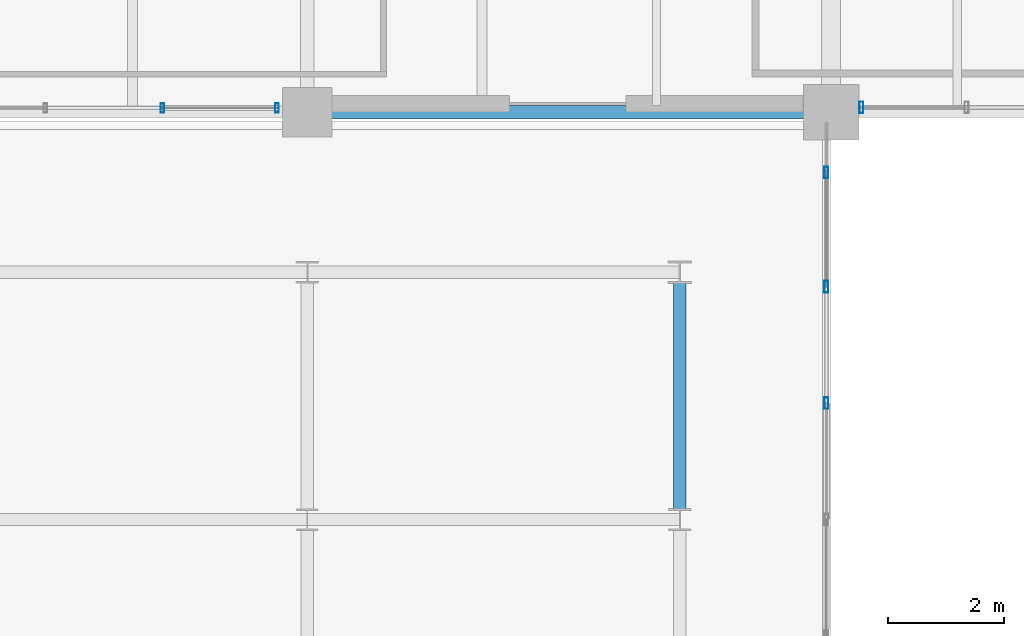
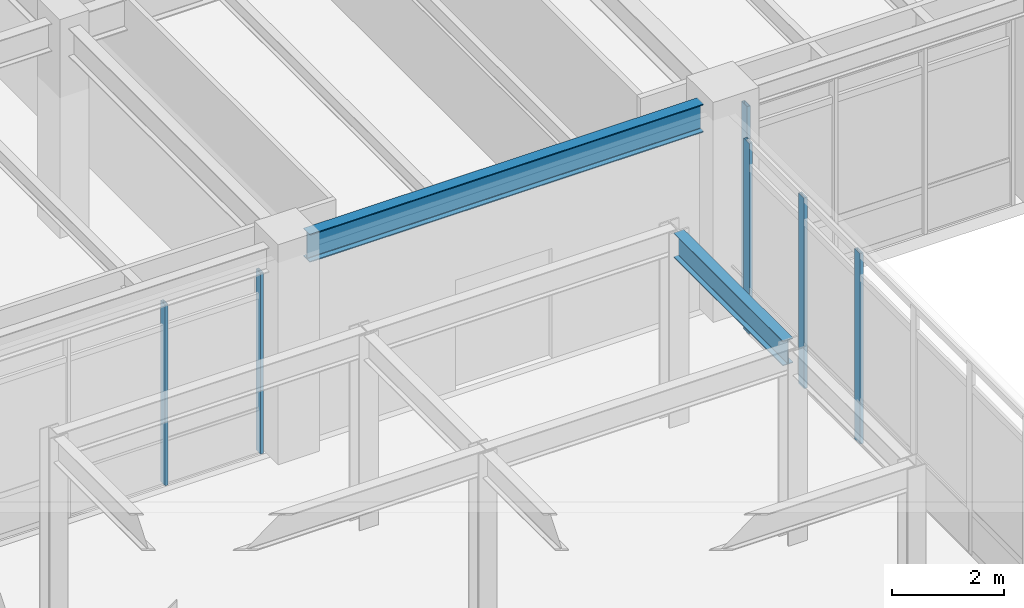
# One storey, part 90 of 200: 6 members, 2 beams, 3 elements without a shape of their own.
"""IFC4 building model written with IfcOpenShell, lengths in metres."""

from ifc_helpers import new_model, si_unit, direction, frame, origin, origin_2d, place, context, subcontext, project, spatial, hollow_rectangle, i_section, extrude, material, material_profile, profile_set, type_object, element, aggregate, save


model = new_model("IFC4")

# Units and contexts
model_context = context("Model", 3, precision=1e-05, world=origin(), true_north=direction((0.0, 1.0)))
body_context = subcontext(model_context, "Body", "Model", "MODEL_VIEW")
ifc_project = project(units=[si_unit("LENGTHUNIT", "METRE"), si_unit("AREAUNIT", "SQUARE_METRE"), si_unit("VOLUMEUNIT", "CUBIC_METRE"), si_unit("PLANEANGLEUNIT", "RADIAN"), si_unit("MASSUNIT", "GRAM", prefix="KILO"), si_unit("THERMODYNAMICTEMPERATUREUNIT", "KELVIN"), si_unit("POWERUNIT", "WATT")], contexts=[model_context])

# Site, building, storey
site_placement = place(None, origin())
site = spatial("IfcSite", under=ifc_project, at=site_placement, CompositionType="ELEMENT")
building_placement = place(site_placement, origin())
building = spatial("IfcBuilding", under=site, at=building_placement, Name="Tepalcoro Natatorium and Aquatics Centre", CompositionType="ELEMENT")
storey_placement = place(building_placement, frame((0.0, 0.0, 5.39990234375)))
storey = spatial("IfcBuildingStorey", under=building, at=storey_placement, Name="L01", CompositionType="ELEMENT", Elevation=5.39990234375)

# Beam
ifc_material_1 = material(Name="Steel ASTM A992 Grade 50 (Fy 345 MPa)", Category="steel")
ifc_material_profile_1 = material_profile(ifc_material_1, i_section(OverallWidth=0.2109375, OverallDepth=0.5380859375, WebThickness=0.011962890625, FlangeThickness=0.01904296875, FilletRadius=0.013916015625, at=origin_2d()), Name="W21X73")
ifc_profile_set_1 = profile_set([ifc_material_profile_1], Name="Steel ASTM A992 Grade 50 (Fy 345 MPa)")
beam_type_1 = type_object("IfcBeamType", Name="BM_LINK_LB1", PredefinedType="BEAM", material=ifc_profile_set_1)
beam_1_placement = place(storey_placement, frame((122.39990234375, 79.1669921875, 3.9560546875), z_axis=(0.0, 1.0, 0.0), x_axis=(-1.0, 0.0, 0.0)))
element("IfcBeam", 1, at=beam_1_placement, inside=storey, type_object=beam_type_1, Name="Seismic passage link beam LB1 (V6NE L01)", PredefinedType="BEAM", context=body_context, shape_type="SweptSolid", body=[
    extrude(i_section(OverallWidth=0.2109375, OverallDepth=0.5380859375, WebThickness=0.011962890625, FlangeThickness=0.01904296875, FilletRadius=0.013916015625, at=origin_2d()), origin(), (0.0, 0.0, 1.0), 3.910888671875),
])

# Curtain wall, members
ifc_material_2 = material(Name="Bronze-Anodised Extruded Aluminium Alloy EN AW-6063 T6", Category="aluminium")
curtain_wall_type_1 = type_object("IfcCurtainWallType", Name="CW_V3_FOYER", PredefinedType="USERDEFINED", material=ifc_material_2)
curtain_wall_1_placement = place(storey_placement, origin())
curtain_wall_1 = element("IfcCurtainWall", 2, at=curtain_wall_1_placement, inside=storey, type_object=curtain_wall_type_1, Name="V5 L01 S Unitised Curtain Wall Bay 2", ObjectType="UNITISED STOREFRONT", PredefinedType="USERDEFINED")
ifc_material_profile_2 = material_profile(ifc_material_2, hollow_rectangle(XDim=0.06005859375, YDim=0.159912109375, WallThickness=0.00390625, at=origin_2d()), Name="AL60X160X4")
ifc_profile_set_2 = profile_set([ifc_material_profile_2], Name="Bronze-Anodised Extruded Aluminium Alloy EN AW-6063 T6")
member_type_1 = type_object("IfcMemberType", Name="CW_MUL_60x160", PredefinedType="MULLION", material=ifc_profile_set_2)
member_1_placement = place(storey_placement, frame((113.510009765625, 86.0712890625, 0.02001953125), z_axis=(0.0, 0.0, 1.0), x_axis=(1.0, 0.0, 0.0)))
member_1 = element("IfcMember", 3, at=member_1_placement, type_object=member_type_1, Name="CW_V3_FOYER Curtain Wall Mullion", PredefinedType="MULLION", context=body_context, shape_type="SweptSolid", body=[
    extrude(hollow_rectangle(XDim=0.06005859375, YDim=0.159912109375, WallThickness=0.00390625, at=origin_2d()), origin(), (0.0, 0.0, 1.0), 3.9541015625),
])
member_2_placement = place(storey_placement, frame((115.47998046875, 86.0712890625, 0.02001953125), z_axis=(0.0, 0.0, 1.0), x_axis=(1.0, 0.0, 0.0)))
member_2 = element("IfcMember", 4, at=member_2_placement, type_object=member_type_1, Name="CW_V3_FOYER Curtain Wall Mullion", PredefinedType="MULLION", context=body_context, shape_type="SweptSolid", body=[
    extrude(hollow_rectangle(XDim=0.06005859375, YDim=0.159912109375, WallThickness=0.00390625, at=origin_2d()), origin(), (0.0, 0.0, 1.0), 3.9541015625),
])
aggregate(curtain_wall_1, [member_1, member_2])

# Curtain wall, member
curtain_wall_type_2 = type_object("IfcCurtainWallType", Name="CW_V5_LOWER", PredefinedType="USERDEFINED", material=ifc_material_2)
curtain_wall_2_placement = place(storey_placement, origin())
curtain_wall_2 = element("IfcCurtainWall", 5, at=curtain_wall_2_placement, inside=storey, type_object=curtain_wall_type_2, Name="V5 L01 S Unitised Curtain Wall Bay 4", ObjectType="UNITISED STOREFRONT", PredefinedType="USERDEFINED")
ifc_material_profile_3 = material_profile(ifc_material_2, hollow_rectangle(XDim=0.070068359375, YDim=0.199951171875, WallThickness=0.0048828125, at=origin_2d()), Name="AL70X200X5")
ifc_profile_set_3 = profile_set([ifc_material_profile_3], Name="Bronze-Anodised Extruded Aluminium Alloy EN AW-6063 T6")
member_type_2 = type_object("IfcMemberType", Name="CW_MUL_70x200", PredefinedType="MULLION", material=ifc_profile_set_3)
member_3_placement = place(storey_placement, frame((125.52001953125, 86.080078125, 0.02001953125), z_axis=(0.0, 0.0, 1.0), x_axis=(1.0, 0.0, 0.0)))
member_3 = element("IfcMember", 6, at=member_3_placement, type_object=member_type_2, Name="CW_V5_LOWER Curtain Wall Mullion", PredefinedType="MULLION", context=body_context, shape_type="SweptSolid", body=[
    extrude(hollow_rectangle(XDim=0.070068359375, YDim=0.199951171875, WallThickness=0.0048828125, at=origin_2d()), origin(), (0.0, 0.0, 1.0), 4.0771484375),
])
aggregate(curtain_wall_2, [member_3])

# Curtain wall, members
curtain_wall_type_3 = type_object("IfcCurtainWallType", Name="CW_LINK_150", PredefinedType="USERDEFINED", material=ifc_material_2)
curtain_wall_3_placement = place(storey_placement, origin())
curtain_wall_3 = element("IfcCurtainWall", 7, at=curtain_wall_3_placement, inside=storey, type_object=curtain_wall_type_3, Name="East Court Wellness Arcade Glazed Wall E L01", ObjectType="UNITISED STOREFRONT", PredefinedType="USERDEFINED")
member_4_placement = place(storey_placement, frame((124.919921875, 81.0, 0.02001953125), z_axis=(0.0, 0.0, 1.0), x_axis=(1.0, 0.0, 0.0)))
member_4 = element("IfcMember", 8, at=member_4_placement, type_object=member_type_2, Name="CW_LINK_150 Curtain Wall Mullion", PredefinedType="MULLION", context=body_context, shape_type="SweptSolid", body=[
    extrude(hollow_rectangle(XDim=0.070068359375, YDim=0.199951171875, WallThickness=0.0048828125, at=origin_2d()), origin(), (0.0, 0.0, 1.0), 4.16015625),
])
member_5_placement = place(storey_placement, frame((124.919921875, 83.0, 0.02001953125), z_axis=(0.0, 0.0, 1.0), x_axis=(1.0, 0.0, 0.0)))
member_5 = element("IfcMember", 9, at=member_5_placement, type_object=member_type_2, Name="CW_LINK_150 Curtain Wall Mullion", PredefinedType="MULLION", context=body_context, shape_type="SweptSolid", body=[
    extrude(hollow_rectangle(XDim=0.070068359375, YDim=0.199951171875, WallThickness=0.0048828125, at=origin_2d()), origin(), (0.0, 0.0, 1.0), 4.16015625),
])
member_6_placement = place(storey_placement, frame((124.919921875, 84.9599609375, 0.02001953125), z_axis=(0.0, 0.0, 1.0), x_axis=(1.0, 0.0, 0.0)))
member_6 = element("IfcMember", 10, at=member_6_placement, type_object=member_type_2, Name="CW_LINK_150 Curtain Wall Mullion", PredefinedType="MULLION", context=body_context, shape_type="SweptSolid", body=[
    extrude(hollow_rectangle(XDim=0.070068359375, YDim=0.199951171875, WallThickness=0.0048828125, at=origin_2d()), origin(), (0.0, 0.0, 1.0), 4.16015625),
])
aggregate(curtain_wall_3, [member_4, member_5, member_6])

# Beam
ifc_material_profile_4 = material_profile(ifc_material_1, i_section(OverallWidth=0.22900390625, OverallDepth=0.612060546875, WebThickness=0.011962890625, FlangeThickness=0.02001953125, FilletRadius=0.013916015625, at=origin_2d()), Name="W24X84")
ifc_profile_set_4 = profile_set([ifc_material_profile_4], Name="Steel ASTM A992 Grade 50 (Fy 345 MPa)")
beam_type_2 = type_object("IfcBeamType", Name="SP_W24x84", PredefinedType="SPANDREL", material=ifc_profile_set_4)
beam_2_placement = place(storey_placement, frame((116.409912109375, 86.0, 4.239013671875), z_axis=(1.0, 0.0, 0.0), x_axis=(0.0, 1.0, 0.0)))
element("IfcBeam", 11, at=beam_2_placement, inside=storey, type_object=beam_type_2, Name="V5 L01 Grid Girder X", PredefinedType="SPANDREL", context=body_context, shape_type="SweptSolid", body=[
    extrude(i_section(OverallWidth=0.22900390625, OverallDepth=0.612060546875, WebThickness=0.011962890625, FlangeThickness=0.02001953125, FilletRadius=0.013916015625, at=origin_2d()), origin(), (0.0, 0.0, 1.0), 8.130126953125),
])

save(model, "model.ifc")
